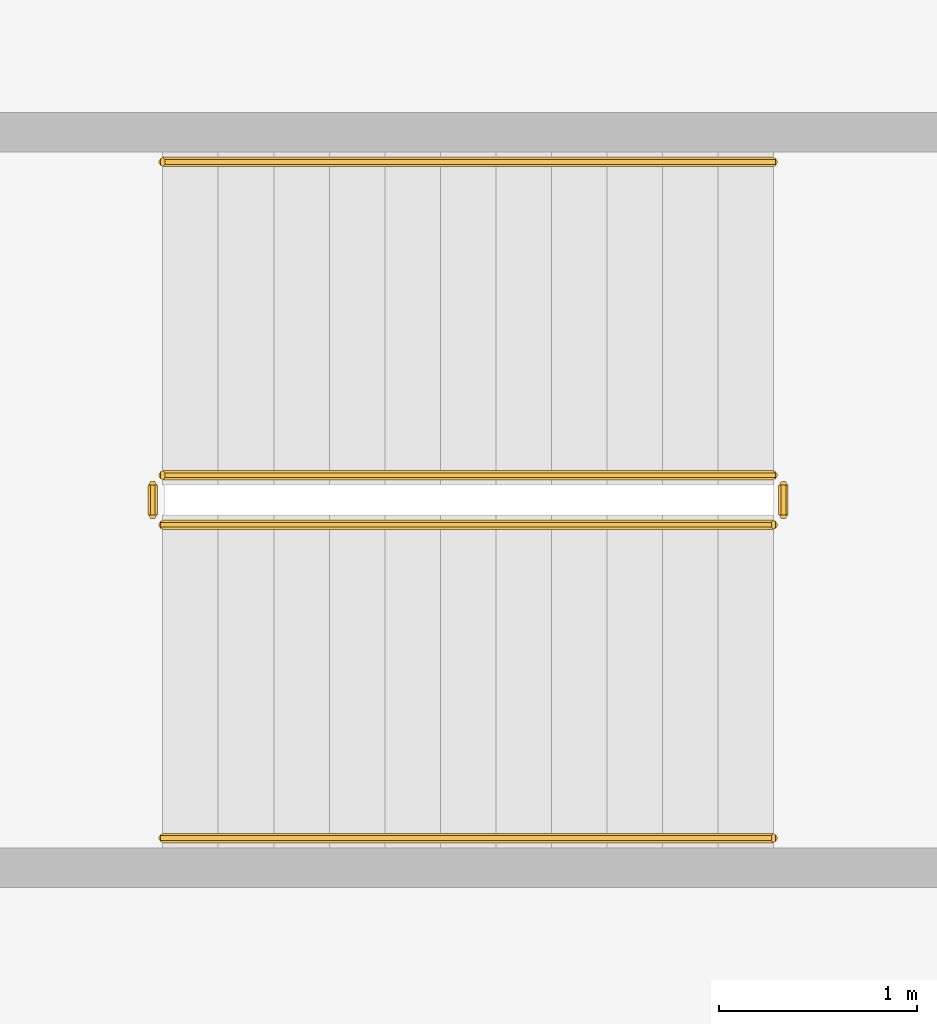
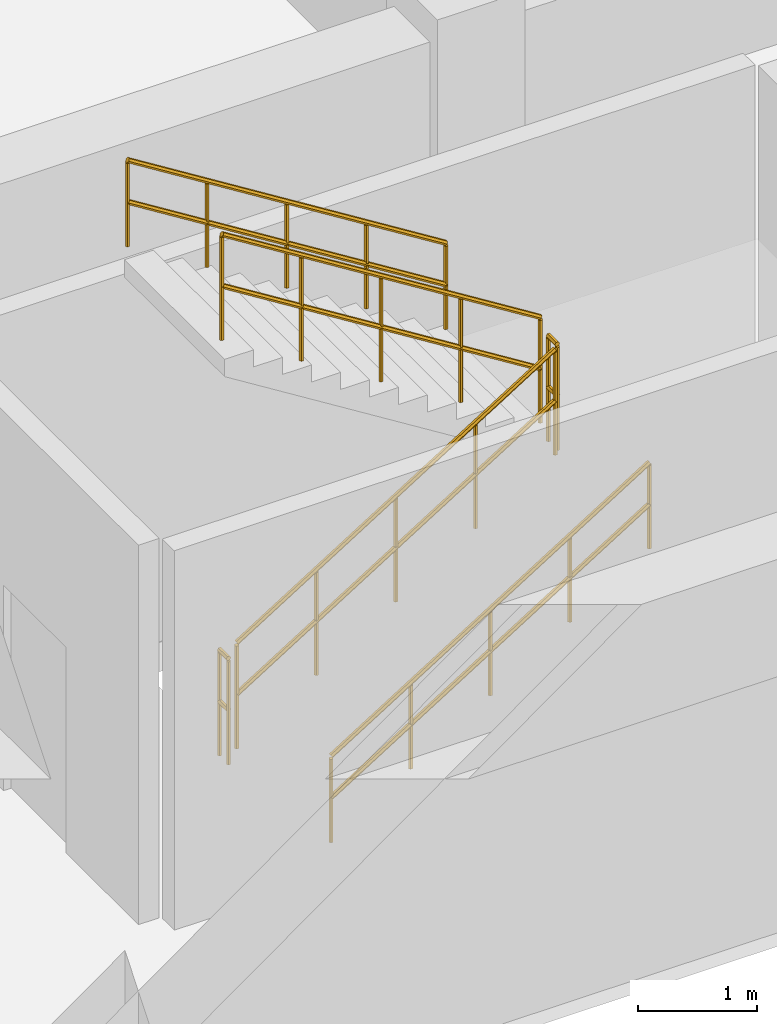
# One storey, part 17 of 20: 6 railings.
"""IFC4 building model written with IfcOpenShell, lengths in metres."""

from ifc_helpers import new_model, si_unit, direction, frame, origin, place, context, subcontext, project, spatial, polyline, outline, extrude, material, type_object, element, save


model = new_model("IFC4")

# Units and contexts
model_context = context("Model", 3, precision=1e-05, world=origin(), true_north=direction((0.0, 1.0)))
body_context = subcontext(model_context, "Body", "Model", "MODEL_VIEW")
ifc_project = project(units=[si_unit("LENGTHUNIT", "METRE"), si_unit("AREAUNIT", "SQUARE_METRE"), si_unit("VOLUMEUNIT", "CUBIC_METRE"), si_unit("PLANEANGLEUNIT", "RADIAN"), si_unit("MASSUNIT", "GRAM", prefix="KILO")], contexts=[model_context])

# Site, building, storey
site_placement = place(None, origin())
site = spatial("IfcSite", under=ifc_project, at=site_placement, CompositionType="ELEMENT")
building_placement = place(site_placement, origin())
building = spatial("IfcBuilding", under=site, at=building_placement, Name="Kelanora Arch Commons", CompositionType="ELEMENT")
storey_placement = place(building_placement, frame((0.0, 0.0, -4.199951171875)))
storey = spatial("IfcBuildingStorey", under=building, at=storey_placement, Name="B01", CompositionType="ELEMENT", Elevation=-4.199951171875)

# Railings
ifc_material_1 = material(Name="Painted steel stair well guard", Category="steel")
railing_type_1 = type_object("IfcRailingType", Name="RAIL-STAIR-GRD", PredefinedType="GUARDRAIL", material=ifc_material_1)
railing_1_placement = place(storey_placement, frame((83.679931640625, 8.18994140625, 0.175048828125)))
element("IfcRailing", 1, at=railing_1_placement, inside=storey, type_object=railing_type_1, Name="B01 ST-M2 stair guard 1", PredefinedType="GUARDRAIL", context=body_context, shape_type="SweptSolid", body=[
    extrude(outline(polyline([(0.02392578125, 0.0), (0.011962890625, 0.020751953125), (-0.011962890625, 0.020751953125), (-0.02392578125, 0.0), (-0.011962890625, -0.020751953125), (0.011962890625, -0.020751953125), (0.02392578125, 0.0)])), frame((0.0, 0.0, 1.076171875), z_axis=(0.848028513186, 0.0, 0.529950602248), x_axis=(0.0, 1.0, 0.0)), (0.0, 0.0, 1.0), 3.632080078125),
    extrude(outline(polyline([(0.02392578125, 0.0), (0.011962890625, 0.020751953125), (-0.011962890625, 0.020751953125), (-0.02392578125, 0.0), (-0.011962890625, -0.020751953125), (0.011962890625, -0.020751953125), (0.02392578125, 0.0)])), frame((0.0, 0.0, 0.550048828125), z_axis=(0.848028513186, 0.0, 0.529950602248), x_axis=(0.0, 1.0, 0.0)), (0.0, 0.0, 1.0), 3.632080078125),
    extrude(outline(polyline([(0.02099609375, 0.0), (0.010498046875, 0.01806640625), (-0.010498046875, 0.01806640625), (-0.02099609375, 0.0), (-0.010498046875, -0.01806640625), (0.010498046875, -0.01806640625), (0.02099609375, 0.0)])), origin(), (0.0, 0.0, 1.0), 1.052001953125),
    extrude(outline(polyline([(0.02099609375, 0.0), (0.010498046875, 0.01806640625), (-0.010498046875, 0.01806640625), (-0.02099609375, 0.0), (-0.010498046875, -0.01806640625), (0.010498046875, -0.01806640625), (0.02099609375, 0.0)])), frame((0.77001953125, 0.0, 0.481201171875)), (0.0, 0.0, 1.0), 1.052001953125),
    extrude(outline(polyline([(0.02099609375, 0.0), (0.010498046875, 0.01806640625), (-0.010498046875, 0.01806640625), (-0.02099609375, 0.0), (-0.010498046875, -0.01806640625), (0.010498046875, -0.01806640625), (0.02099609375, 0.0)])), frame((1.5400390625, 0.0, 0.96240234375)), (0.0, 0.0, 1.0), 1.052001953125),
    extrude(outline(polyline([(0.02099609375, 0.0), (0.010498046875, 0.01806640625), (-0.010498046875, 0.01806640625), (-0.02099609375, 0.0), (-0.010498046875, -0.01806640625), (0.010498046875, -0.01806640625), (0.02099609375, 0.0)])), frame((2.31005859375, 0.0, 1.443603515625)), (0.0, 0.0, 1.0), 1.052001953125),
    extrude(outline(polyline([(0.02099609375, 0.0), (0.010498046875, 0.01806640625), (-0.010498046875, 0.01806640625), (-0.02099609375, 0.0), (-0.010498046875, -0.01806640625), (0.010498046875, -0.01806640625), (0.02099609375, 0.0)])), frame((3.080078125, 0.0, 1.9248046875)), (0.0, 0.0, 1.0), 1.052001953125),
])
railing_2_placement = place(storey_placement, frame((86.81005859375, 8.239990234375, 2.099853515625)))
element("IfcRailing", 2, at=railing_2_placement, inside=storey, type_object=railing_type_1, Name="B01 ST-M2 stair guard 2", PredefinedType="GUARDRAIL", context=body_context, shape_type="SweptSolid", body=[
    extrude(outline(polyline([(0.02392578125, 0.0), (0.011962890625, 0.020751953125), (-0.011962890625, 0.020751953125), (-0.02392578125, 0.0), (-0.011962890625, -0.020751953125), (0.011962890625, -0.020751953125), (0.02392578125, 0.0)])), frame((0.0, 0.0, 1.076171875), z_axis=(0.0, 1.0, 0.0), x_axis=(-1.0, 0.0, 0.0)), (0.0, 0.0, 1.0), 0.14990234375),
    extrude(outline(polyline([(0.02392578125, 0.0), (0.011962890625, 0.020751953125), (-0.011962890625, 0.020751953125), (-0.02392578125, 0.0), (-0.011962890625, -0.020751953125), (0.011962890625, -0.020751953125), (0.02392578125, 0.0)])), frame((0.0, 0.0, 0.550048828125), z_axis=(0.0, 1.0, 0.0), x_axis=(-1.0, 0.0, 0.0)), (0.0, 0.0, 1.0), 0.14990234375),
    extrude(outline(polyline([(0.02099609375, 0.0), (0.010498046875, 0.01806640625), (-0.010498046875, 0.01806640625), (-0.02099609375, 0.0), (-0.010498046875, -0.01806640625), (0.010498046875, -0.01806640625), (0.02099609375, 0.0)])), origin(), (0.0, 0.0, 1.0), 1.052001953125),
    extrude(outline(polyline([(0.02099609375, 0.0), (0.010498046875, 0.01806640625), (-0.010498046875, 0.01806640625), (-0.02099609375, 0.0), (-0.010498046875, -0.01806640625), (0.010498046875, -0.01806640625), (0.02099609375, 0.0)])), frame((0.0, 0.14990234375, 0.0)), (0.0, 0.0, 1.0), 1.052001953125),
])
railing_3_placement = place(storey_placement, frame((86.760009765625, 8.43994140625, 2.27490234375)))
element("IfcRailing", 3, at=railing_3_placement, inside=storey, type_object=railing_type_1, Name="B01 ST-M2 stair guard 3", PredefinedType="GUARDRAIL", context=body_context, shape_type="SweptSolid", body=[
    extrude(outline(polyline([(0.02392578125, 0.0), (0.011962890625, 0.020751953125), (-0.011962890625, 0.020751953125), (-0.02392578125, 0.0), (-0.011962890625, -0.020751953125), (0.011962890625, -0.020751953125), (0.02392578125, 0.0)])), frame((0.0, 0.0, 1.076171875), z_axis=(-0.847998304005, 0.0, 0.529998940003), x_axis=(0.0, -1.0, 0.0)), (0.0, 0.0, 1.0), 3.632080078125),
    extrude(outline(polyline([(0.02392578125, 0.0), (0.011962890625, 0.020751953125), (-0.011962890625, 0.020751953125), (-0.02392578125, 0.0), (-0.011962890625, -0.020751953125), (0.011962890625, -0.020751953125), (0.02392578125, 0.0)])), frame((0.0, 0.0, 0.550048828125), z_axis=(-0.847998304005, 0.0, 0.529998940003), x_axis=(0.0, -1.0, 0.0)), (0.0, 0.0, 1.0), 3.632080078125),
    extrude(outline(polyline([(0.02099609375, 0.0), (0.010498046875, 0.01806640625), (-0.010498046875, 0.01806640625), (-0.02099609375, 0.0), (-0.010498046875, -0.01806640625), (0.010498046875, -0.01806640625), (0.02099609375, 0.0)])), origin(), (0.0, 0.0, 1.0), 1.052001953125),
    extrude(outline(polyline([(0.02099609375, 0.0), (0.010498046875, 0.01806640625), (-0.010498046875, 0.01806640625), (-0.02099609375, 0.0), (-0.010498046875, -0.01806640625), (0.010498046875, -0.01806640625), (0.02099609375, 0.0)])), frame((-0.77001953125, 0.0, 0.481201171875)), (0.0, 0.0, 1.0), 1.052001953125),
    extrude(outline(polyline([(0.02099609375, 0.0), (0.010498046875, 0.01806640625), (-0.010498046875, 0.01806640625), (-0.02099609375, 0.0), (-0.010498046875, -0.01806640625), (0.010498046875, -0.01806640625), (0.02099609375, 0.0)])), frame((-1.5400390625, 0.0, 0.96240234375)), (0.0, 0.0, 1.0), 1.052001953125),
    extrude(outline(polyline([(0.02099609375, 0.0), (0.010498046875, 0.01806640625), (-0.010498046875, 0.01806640625), (-0.02099609375, 0.0), (-0.010498046875, -0.01806640625), (0.010498046875, -0.01806640625), (0.02099609375, 0.0)])), frame((-2.31005859375, 0.0, 1.44384765625)), (0.0, 0.0, 1.0), 1.052001953125),
    extrude(outline(polyline([(0.02099609375, 0.0), (0.010498046875, 0.01806640625), (-0.010498046875, 0.01806640625), (-0.02099609375, 0.0), (-0.010498046875, -0.01806640625), (0.010498046875, -0.01806640625), (0.02099609375, 0.0)])), frame((-3.080078125, 0.0, 1.925048828125)), (0.0, 0.0, 1.0), 1.052001953125),
])
railing_4_placement = place(storey_placement, frame((83.6298828125, 8.239990234375, 0.0)))
element("IfcRailing", 4, at=railing_4_placement, inside=storey, type_object=railing_type_1, Name="B01 ST-M2 stair guard 4", PredefinedType="GUARDRAIL", context=body_context, shape_type="SweptSolid", body=[
    extrude(outline(polyline([(0.02392578125, 0.0), (0.011962890625, 0.020751953125), (-0.011962890625, 0.020751953125), (-0.02392578125, 0.0), (-0.011962890625, -0.020751953125), (0.011962890625, -0.020751953125), (0.02392578125, 0.0)])), frame((0.0, 0.0, 1.076171875), z_axis=(0.0, 1.0, 0.0), x_axis=(-1.0, 0.0, 0.0)), (0.0, 0.0, 1.0), 0.14990234375),
    extrude(outline(polyline([(0.02392578125, 0.0), (0.011962890625, 0.020751953125), (-0.011962890625, 0.020751953125), (-0.02392578125, 0.0), (-0.011962890625, -0.020751953125), (0.011962890625, -0.020751953125), (0.02392578125, 0.0)])), frame((0.0, 0.0, 0.550048828125), z_axis=(0.0, 1.0, 0.0), x_axis=(-1.0, 0.0, 0.0)), (0.0, 0.0, 1.0), 0.14990234375),
    extrude(outline(polyline([(0.02099609375, 0.0), (0.010498046875, 0.01806640625), (-0.010498046875, 0.01806640625), (-0.02099609375, 0.0), (-0.010498046875, -0.01806640625), (0.010498046875, -0.01806640625), (0.02099609375, 0.0)])), origin(), (0.0, 0.0, 1.0), 1.052001953125),
    extrude(outline(polyline([(0.02099609375, 0.0), (0.010498046875, 0.01806640625), (-0.010498046875, 0.01806640625), (-0.02099609375, 0.0), (-0.010498046875, -0.01806640625), (0.010498046875, -0.01806640625), (0.02099609375, 0.0)])), frame((0.0, 0.14990234375, 0.0)), (0.0, 0.0, 1.0), 1.052001953125),
])
ifc_material_2 = material(Name="Brushed stainless steel stair handrail", Category="steel")
railing_type_2 = type_object("IfcRailingType", Name="RAIL-STAIR-HND", PredefinedType="HANDRAIL", material=ifc_material_2)
railing_5_placement = place(storey_placement, frame((83.679931640625, 6.610107421875, 0.175048828125)))
element("IfcRailing", 5, at=railing_5_placement, inside=storey, type_object=railing_type_2, Name="B01 ST-M2 stair handrail 1", PredefinedType="HANDRAIL", context=body_context, shape_type="SweptSolid", body=[
    extrude(outline(polyline([(0.02392578125, 0.0), (0.011962890625, 0.020751953125), (-0.011962890625, 0.020751953125), (-0.02392578125, 0.0), (-0.011962890625, -0.020751953125), (0.011962890625, -0.020751953125), (0.02392578125, 0.0)])), frame((0.0, 0.0, 0.8759765625), z_axis=(0.848028513186, 0.0, 0.529950602248), x_axis=(0.0, 1.0, 0.0)), (0.0, 0.0, 1.0), 3.632080078125),
    extrude(outline(polyline([(0.02392578125, 0.0), (0.011962890625, 0.020751953125), (-0.011962890625, 0.020751953125), (-0.02392578125, 0.0), (-0.011962890625, -0.020751953125), (0.011962890625, -0.020751953125), (0.02392578125, 0.0)])), frame((0.0, 0.0, 0.449951171875), z_axis=(0.848028513186, 0.0, 0.529950602248), x_axis=(0.0, 1.0, 0.0)), (0.0, 0.0, 1.0), 3.632080078125),
    extrude(outline(polyline([(0.02099609375, 0.0), (0.010498046875, 0.01806640625), (-0.010498046875, 0.01806640625), (-0.02099609375, 0.0), (-0.010498046875, -0.01806640625), (0.010498046875, -0.01806640625), (0.02099609375, 0.0)])), origin(), (0.0, 0.0, 1.0), 0.851806640625),
    extrude(outline(polyline([(0.02099609375, 0.0), (0.010498046875, 0.01806640625), (-0.010498046875, 0.01806640625), (-0.02099609375, 0.0), (-0.010498046875, -0.01806640625), (0.010498046875, -0.01806640625), (0.02099609375, 0.0)])), frame((0.77001953125, 0.0, 0.481201171875)), (0.0, 0.0, 1.0), 0.851806640625),
    extrude(outline(polyline([(0.02099609375, 0.0), (0.010498046875, 0.01806640625), (-0.010498046875, 0.01806640625), (-0.02099609375, 0.0), (-0.010498046875, -0.01806640625), (0.010498046875, -0.01806640625), (0.02099609375, 0.0)])), frame((1.5400390625, 0.0, 0.96240234375)), (0.0, 0.0, 1.0), 0.851806640625),
    extrude(outline(polyline([(0.02099609375, 0.0), (0.010498046875, 0.01806640625), (-0.010498046875, 0.01806640625), (-0.02099609375, 0.0), (-0.010498046875, -0.01806640625), (0.010498046875, -0.01806640625), (0.02099609375, 0.0)])), frame((2.31005859375, 0.0, 1.443603515625)), (0.0, 0.0, 1.0), 0.851806640625),
    extrude(outline(polyline([(0.02099609375, 0.0), (0.010498046875, 0.01806640625), (-0.010498046875, 0.01806640625), (-0.02099609375, 0.0), (-0.010498046875, -0.01806640625), (0.010498046875, -0.01806640625), (0.02099609375, 0.0)])), frame((3.080078125, 0.0, 1.9248046875)), (0.0, 0.0, 1.0), 0.851806640625),
])
railing_6_placement = place(storey_placement, frame((86.760009765625, 10.02001953125, 2.27490234375)))
element("IfcRailing", 6, at=railing_6_placement, inside=storey, type_object=railing_type_2, Name="B01 ST-M2 stair handrail 2", PredefinedType="HANDRAIL", context=body_context, shape_type="SweptSolid", body=[
    extrude(outline(polyline([(0.02392578125, 0.0), (0.011962890625, 0.020751953125), (-0.011962890625, 0.020751953125), (-0.02392578125, 0.0), (-0.011962890625, -0.020751953125), (0.011962890625, -0.020751953125), (0.02392578125, 0.0)])), frame((0.0, 0.0, 0.8759765625), z_axis=(-0.847998304005, 0.0, 0.529998940003), x_axis=(0.0, -1.0, 0.0)), (0.0, 0.0, 1.0), 3.632080078125),
    extrude(outline(polyline([(0.02392578125, 0.0), (0.011962890625, 0.020751953125), (-0.011962890625, 0.020751953125), (-0.02392578125, 0.0), (-0.011962890625, -0.020751953125), (0.011962890625, -0.020751953125), (0.02392578125, 0.0)])), frame((0.0, 0.0, 0.449951171875), z_axis=(-0.847998304005, 0.0, 0.529998940003), x_axis=(0.0, -1.0, 0.0)), (0.0, 0.0, 1.0), 3.632080078125),
    extrude(outline(polyline([(0.02099609375, 0.0), (0.010498046875, 0.01806640625), (-0.010498046875, 0.01806640625), (-0.02099609375, 0.0), (-0.010498046875, -0.01806640625), (0.010498046875, -0.01806640625), (0.02099609375, 0.0)])), origin(), (0.0, 0.0, 1.0), 0.851806640625),
    extrude(outline(polyline([(0.02099609375, 0.0), (0.010498046875, 0.01806640625), (-0.010498046875, 0.01806640625), (-0.02099609375, 0.0), (-0.010498046875, -0.01806640625), (0.010498046875, -0.01806640625), (0.02099609375, 0.0)])), frame((-0.77001953125, 0.0, 0.481201171875)), (0.0, 0.0, 1.0), 0.851806640625),
    extrude(outline(polyline([(0.02099609375, 0.0), (0.010498046875, 0.01806640625), (-0.010498046875, 0.01806640625), (-0.02099609375, 0.0), (-0.010498046875, -0.01806640625), (0.010498046875, -0.01806640625), (0.02099609375, 0.0)])), frame((-1.5400390625, 0.0, 0.96240234375)), (0.0, 0.0, 1.0), 0.851806640625),
    extrude(outline(polyline([(0.02099609375, 0.0), (0.010498046875, 0.01806640625), (-0.010498046875, 0.01806640625), (-0.02099609375, 0.0), (-0.010498046875, -0.01806640625), (0.010498046875, -0.01806640625), (0.02099609375, 0.0)])), frame((-2.31005859375, 0.0, 1.44384765625)), (0.0, 0.0, 1.0), 0.851806640625),
    extrude(outline(polyline([(0.02099609375, 0.0), (0.010498046875, 0.01806640625), (-0.010498046875, 0.01806640625), (-0.02099609375, 0.0), (-0.010498046875, -0.01806640625), (0.010498046875, -0.01806640625), (0.02099609375, 0.0)])), frame((-3.080078125, 0.0, 1.925048828125)), (0.0, 0.0, 1.0), 0.851806640625),
])

save(model, "model.ifc")
